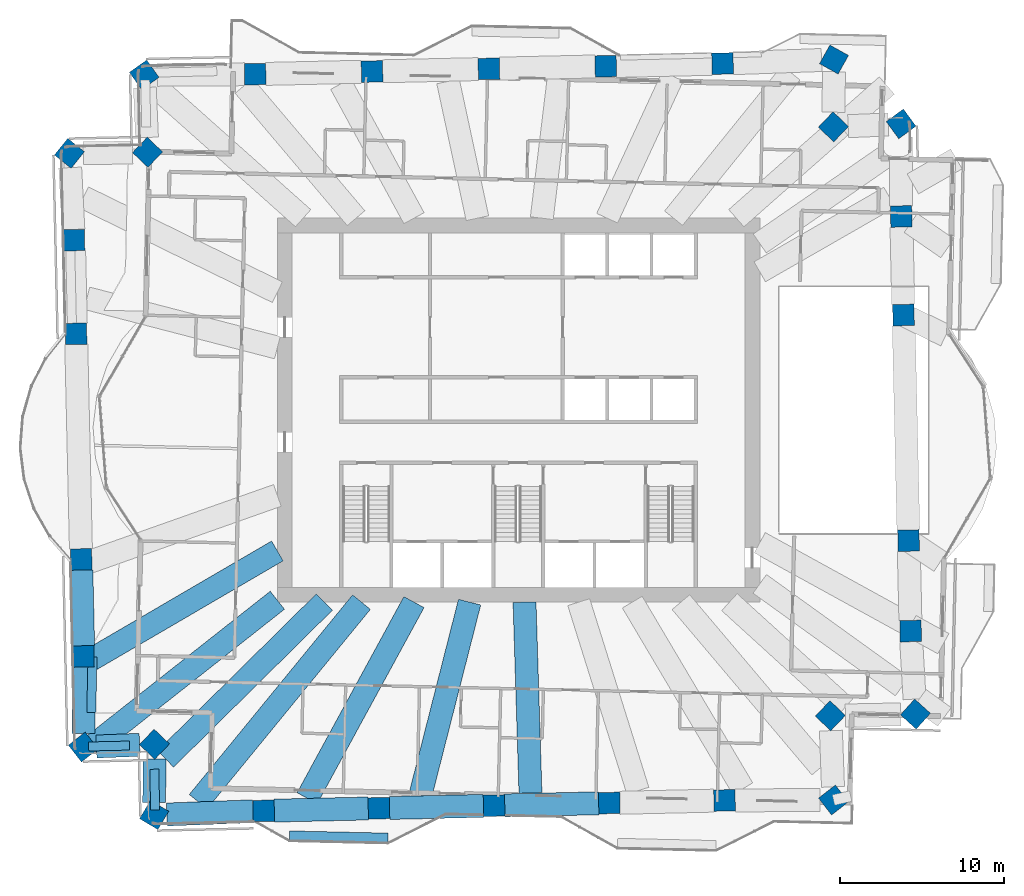
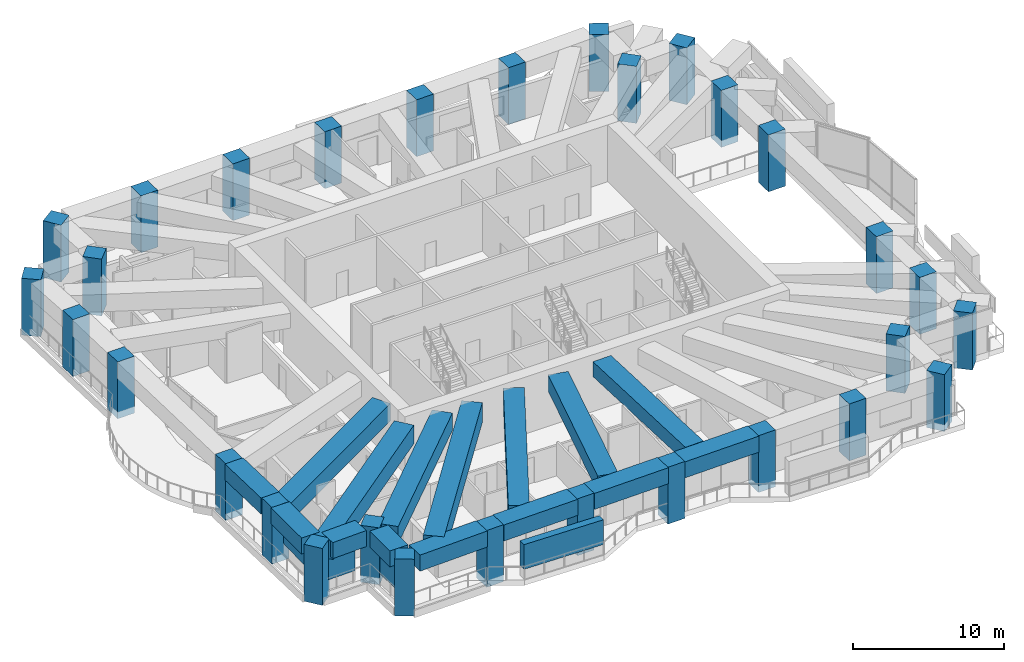
# One storey, part 1 of 17: 30 columns, 15 beams, 4 members.
"""IFC4 building model written with IfcOpenShell, lengths in metres."""

import ifcopenshell
import ifcopenshell.guid

model = None  # the IFC model being written
_history = None  # IfcOwnerHistory: only IFC2X3 demands one
_inside = {}  # id of a spatial element -> (the spatial element, [elements in it])
_under = {}  # id of a project, library or spatial element -> (it, [spatial elements below it])
_declared = {}  # id of a project -> (the project, [libraries it declares])
_typed = {}  # id of a type object -> (the type object, [elements of that type])
_made_of = {}  # id of a material, layer set ... -> (it, [elements and type objects made of it])


def new_model(schema):
    """Start an empty IFC model of exactly this schema.

    Asked for "IFC4X3", IfcOpenShell would pick the latest addendum, in which some entities
    have other attributes; the version numbers below select the first issue.
    IFC2X3 requires an IfcOwnerHistory on every rooted entity: one is made here for all.
    """
    global model, _history
    if schema == "IFC4X3":
        model = ifcopenshell.file(schema_version=(4, 3, 0, 0))
    else:
        model = ifcopenshell.file(schema=schema)
    _inside.clear()
    _under.clear()
    _declared.clear()
    _typed.clear()
    _made_of.clear()
    _history = None
    if model.schema == "IFC2X3":
        org = make("IfcOrganization", Name="unknown")
        user = make(
            "IfcPersonAndOrganization",
            ThePerson=make("IfcPerson", FamilyName="unknown"),
            TheOrganization=org,
        )
        app = make(
            "IfcApplication",
            ApplicationDeveloper=org,
            Version="unknown",
            ApplicationFullName="unknown",
            ApplicationIdentifier="unknown",
        )
        _history = make(
            "IfcOwnerHistory",
            OwningUser=user,
            OwningApplication=app,
            ChangeAction="ADDED",
            CreationDate=0,
        )
    return model


def make(cls, **values):
    """One entity of the class cls with the attributes given. An attribute that is None is left unset."""
    return model.create_entity(
        cls, **{name: value for name, value in values.items() if value is not None}
    )


def rooted(cls, **values):
    """An entity with a GlobalId (a new one), such as an element, a storey or a relation."""
    return make(cls, GlobalId=ifcopenshell.guid.new(), OwnerHistory=_history, **values)


def si_unit(unit_type, name, prefix=None):
    """IfcSIUnit, for example si_unit("LENGTHUNIT", "METRE", prefix="MILLI")."""
    return make("IfcSIUnit", UnitType=unit_type, Prefix=prefix, Name=name)


def assignment(units):
    """IfcUnitAssignment: the units of a project."""
    return None if units is None else make("IfcUnitAssignment", Units=units)


def point(xyz):
    """IfcCartesianPoint."""
    return None if xyz is None else make("IfcCartesianPoint", Coordinates=xyz)


def direction(xyz):
    """IfcDirection."""
    return None if xyz is None else make("IfcDirection", DirectionRatios=xyz)


def frame(location, z_axis=None, x_axis=None):
    """IfcAxis2Placement3D, a coordinate frame: its origin and axes. An axis left out is left unset."""
    return make(
        "IfcAxis2Placement3D",
        Location=point(location),
        Axis=direction(z_axis),
        RefDirection=direction(x_axis),
    )


def frame_2d(location, x_axis=None):
    """IfcAxis2Placement2D, a coordinate frame in the plane: its origin and x axis."""
    return make(
        "IfcAxis2Placement2D", Location=point(location), RefDirection=direction(x_axis)
    )


def origin():
    """The frame at (0, 0, 0) with its axes left unset."""
    return frame((0.0, 0.0, 0.0))


def origin_2d():
    """The frame at (0, 0) in the plane with its x axis left unset."""
    return frame_2d((0.0, 0.0))


def place(relative_to, where):
    """IfcLocalPlacement: puts the frame where relative to a parent placement (None: the world)."""
    return make(
        "IfcLocalPlacement", PlacementRelTo=relative_to, RelativePlacement=where
    )


def context(
    kind, dimensions, precision=None, world=None, true_north=None, identifier=None
):
    """IfcGeometricRepresentationContext, for example the 3D "Model" context."""
    return make(
        "IfcGeometricRepresentationContext",
        ContextIdentifier=identifier,
        ContextType=kind,
        CoordinateSpaceDimension=dimensions,
        Precision=precision,
        WorldCoordinateSystem=world,
        TrueNorth=true_north,
    )


def subcontext(parent, identifier, kind, view, scale=None):
    """IfcGeometricRepresentationSubContext, for example "Body" below "Model"."""
    return make(
        "IfcGeometricRepresentationSubContext",
        ContextIdentifier=identifier,
        ContextType=kind,
        ParentContext=parent,
        TargetScale=scale,
        TargetView=view,
    )


def project(units=None, contexts=None):
    """IfcProject with its units and contexts."""
    return rooted(
        "IfcProject",
        Name="project",
        RepresentationContexts=contexts,
        UnitsInContext=assignment(units),
    )


def spatial(cls, under=None, at=None, **own):
    """A site, building, storey or space (cls), placed at a placement, below another one or the project."""
    s = rooted(cls, ObjectPlacement=at, **own)
    if under is not None:
        _under.setdefault(under.id(), (under, []))[1].append(s)
    return s


def profile(cls, at=None, kind="AREA", **sizes):
    """A parametric profile (cls). Its sizes go by their IFC names, for example OverallWidth=200.0."""
    return make(cls, ProfileType=kind, Position=at, **sizes)


def rectangle(**sizes):
    """IfcRectangleProfileDef."""
    return profile("IfcRectangleProfileDef", **sizes)


def extrude(swept, where, along, depth):
    """IfcExtrudedAreaSolid: the profile swept, set in the frame where, extruded along a direction by depth."""
    return make(
        "IfcExtrudedAreaSolid",
        SweptArea=swept,
        Position=where,
        ExtrudedDirection=direction(along),
        Depth=depth,
    )


def shape(context_of_items, identifier, shape_type, items):
    """IfcShapeRepresentation: the items that make up one representation, for example the "Body"."""
    return make(
        "IfcShapeRepresentation",
        ContextOfItems=context_of_items,
        RepresentationIdentifier=identifier,
        RepresentationType=shape_type,
        Items=items,
    )


def material(Name=None, Category=None):
    """IfcMaterial."""
    return make("IfcMaterial", Name=Name, Category=Category)


def material_profile(
    of_material, cross_section, Name=None, Category=None, Priority=None
):
    """IfcMaterialProfile: a cross section and its material."""
    return make(
        "IfcMaterialProfile",
        Name=Name,
        Material=of_material,
        Profile=cross_section,
        Priority=Priority,
        Category=Category,
    )


def profile_set(profiles, Name=None, composite=None):
    """IfcMaterialProfileSet."""
    return make(
        "IfcMaterialProfileSet",
        Name=Name,
        MaterialProfiles=profiles,
        CompositeProfile=composite,
    )


def made_of(thing, what):
    """Note that an element or type object is made of a material, layer set ...; save() writes the relation."""
    if what is not None:
        _made_of.setdefault(what.id(), (what, []))[1].append(thing)
    return thing


def type_object(cls, material=None, **own):
    """A type object (cls), such as IfcWallType, which elements share."""
    return made_of(rooted(cls, **own), material)


def element(
    cls,
    number,
    at=None,
    inside=None,
    cuts=None,
    type_object=None,
    material=None,
    context=None,
    identifier="Body",
    shape_type=None,
    held_by="IfcProductDefinitionShape",
    body=None,
    shapes=None,
    **own,
):
    """One element of the class cls, such as IfcWall. Its Tag is "e" and its number.

    at: its placement. inside: the storey or other place that contains it. cuts: it is an
    opening in that element (IfcRelVoidsElement). A single representation is given by context,
    identifier, shape_type and body (its items); several are given by shapes. held_by: the class
    of the entity that holds the representations. save() writes the other relations.
    """
    e = rooted(cls, Tag="e%d" % number, ObjectPlacement=at, **own)
    if body is not None:
        shapes = [shape(context, identifier, shape_type, body)]
    if shapes is not None:
        e.Representation = make(held_by, Representations=shapes)
    if inside is not None:
        _inside.setdefault(inside.id(), (inside, []))[1].append(e)
    if cuts is not None:
        rooted(
            "IfcRelVoidsElement", RelatingBuildingElement=cuts, RelatedOpeningElement=e
        )
    if type_object is not None:
        _typed.setdefault(type_object.id(), (type_object, []))[1].append(e)
    return made_of(e, material)


def aggregate(whole, parts):
    """IfcRelAggregates: a whole, such as a stair, and the parts it consists of."""
    return rooted("IfcRelAggregates", RelatingObject=whole, RelatedObjects=parts)


def save(model, path):
    """Write the relations noted so far, then the file.

    IfcRelAggregates (storeys below a building ...), IfcRelContainedInSpatialStructure (elements
    in a storey), IfcRelDefinesByType, IfcRelAssociatesMaterial and IfcRelDeclares: one each for
    every whole, place, type object, material and project.
    """
    for whole, parts in _under.values():
        aggregate(whole, parts)
    for where, things in _inside.values():
        rooted(
            "IfcRelContainedInSpatialStructure",
            RelatedElements=things,
            RelatingStructure=where,
        )
    for kind, things in _typed.values():
        rooted("IfcRelDefinesByType", RelatedObjects=things, RelatingType=kind)
    for what, things in _made_of.values():
        rooted("IfcRelAssociatesMaterial", RelatedObjects=things, RelatingMaterial=what)
    for by, libraries in _declared.values():
        rooted("IfcRelDeclares", RelatingContext=by, RelatedDefinitions=libraries)
    model.write(path)


model = new_model("IFC4")

# Units and contexts
model_context = context("Model", 3, precision=1e-05, world=origin(), true_north=direction((0.0, 1.0)))
body_context = subcontext(model_context, "Body", "Model", "MODEL_VIEW")
ifc_project = project(units=[si_unit("LENGTHUNIT", "METRE"), si_unit("AREAUNIT", "SQUARE_METRE"), si_unit("VOLUMEUNIT", "CUBIC_METRE"), si_unit("PLANEANGLEUNIT", "RADIAN"), si_unit("MASSUNIT", "GRAM", prefix="KILO")], contexts=[model_context])

# Site, building, storey
site_placement = place(None, origin())
site = spatial("IfcSite", under=ifc_project, at=site_placement, CompositionType="ELEMENT")
building_placement = place(site_placement, origin())
building = spatial("IfcBuilding", under=site, at=building_placement, Name="Mangrove Gate Tower", CompositionType="ELEMENT")
storey_placement = place(building_placement, frame((0.0, 0.0, 148.10009765625)))
storey = spatial("IfcBuildingStorey", under=building, at=storey_placement, Name="L37", CompositionType="ELEMENT", Elevation=148.10009765625)

# Columns
ifc_material_1 = material(Name="Concrete C70/85", Category="concrete")
ifc_material_profile_1 = material_profile(ifc_material_1, rectangle(XDim=1.300048828125, YDim=1.300048828125, at=origin_2d()))
ifc_profile_set_1 = profile_set([ifc_material_profile_1], Name="Concrete C70/85")
column_type = type_object("IfcColumnType", Name="Column RC 1300x1300 C70/85", PredefinedType="COLUMN", material=ifc_profile_set_1)
for number, where, z_axis, x_axis, name in (
    (1, (-26.6591796875, -9.09619140625, -0.550048828125), (0.0, 0.0, 1.0), (0.02268213383, -0.999742727308, 0.0), "Column L37 W05"),
    (2, (-26.525146484375, -15.00634765625, -0.550048828125), (0.0, 0.0, 1.0), (0.022665697055, -0.99974310009, 0.0), "Column L37 W06"),
    (3, (-26.528564453125, -20.5322265625, -0.550048828125), (0.0, 0.0, 1.0), (0.61506722308, -0.788474673717, 0.0), "Column L37 W07"),
    (4, (-22.19287109375, -20.362060546875, -0.550048828125), (0.0, 0.0, 1.0), (0.722994264183, -0.690854032309, 0.0), "Column L37 W08"),
    (5, (-22.20947265625, -24.67236328125, -0.550048828125), (0.0, 0.0, 1.0), (0.859255009234, -0.511547484704, 0.0), "Column L37 S01"),
    (6, (-15.53466796875, -24.422119140625, -0.550048828125), (0.0, 0.0, 1.0), (0.999742129581, 0.022708464065, 0.0), "Column L37 S02"),
    (7, (-8.5126953125, -24.26220703125, -0.550048828125), (0.0, 0.0, 1.0), (0.999742129581, 0.022708464065, 0.0), "Column L37 S03"),
    (8, (-1.49072265625, -24.103271484375, -0.550048828125), (0.0, 0.0, 1.0), (0.999743742918, 0.022637325283, 0.0), "Column L37 S04"),
    (9, (5.53125, -23.944091796875, -0.550048828125), (0.0, 0.0, 1.0), (0.999742166043, 0.022706858776, 0.0), "Column L37 S05"),
    (10, (12.55419921875, -23.7841796875, -0.550048828125), (0.0, 0.0, 1.0), (0.999742166043, 0.022706858776, 0.0), "Column L37 S06"),
    (11, (19.1923828125, -23.761474609375, -0.550048828125), (0.0, 0.0, 1.0), (0.790004884924, 0.613100547868, 0.0), "Column L37 S07"),
    (12, (19.0029296875, -18.626953125, -0.550048828125), (0.0, 0.0, 1.0), (0.690808805786, 0.723037477485, 0.0), "Column L37 E01"),
    (13, (24.188232421875, -18.522705078125, -0.550048828125), (0.0, 0.0, 1.0), (0.6695332885, 0.742782051204, 0.0), "Column L37 E02"),
    (14, (23.896240234375, -13.462646484375, -0.550048828125), (0.0, 0.0, 1.0), (-0.022678138054, 0.999742817956, 0.0), "Column L37 E03"),
    (15, (23.771240234375, -7.95166015625, -0.550048828125), (0.0, 0.0, 1.0), (-0.022684855843, 0.999742665547, 0.0), "Column L37 E04"),
    (16, (23.459228515625, 5.79638671875, -0.550048828125), (0.0, 0.0, 1.0), (-0.022668541211, 0.999743035604, 0.0), "Column L37 E05"),
    (17, (23.3232421875, 11.806396484375, -0.550048828125), (0.0, 0.0, 1.0), (-0.022621272366, 0.999744106277, 0.0), "Column L37 E06"),
    (18, (23.312744140625, 17.44775390625, -0.550048828125), (0.0, 0.0, 1.0), (-0.591062165958, 0.806626007498, 0.0), "Column L37 E07"),
    (19, (19.18896484375, 17.26708984375, -0.550048828125), (0.0, 0.0, 1.0), (-0.723000027728, 0.69084800058, 0.0), "Column L37 E08"),
    (20, (19.224609375, 21.36865234375, -0.550048828125), (0.0, 0.0, 1.0), (-0.872767754736, 0.488135684307, 0.0), "Column L37 N01"),
    (21, (12.434814453125, 21.124267578125, -0.550048828125), (0.0, 0.0, 1.0), (-0.999741400599, -0.022740534932, 0.0), "Column L37 N02"),
    (22, (5.312744140625, 20.962158203125, -0.550048828125), (0.0, 0.0, 1.0), (-0.999742993665, -0.022670390785, 0.0), "Column L37 N03"),
    (23, (-1.809326171875, 20.80126953125, -0.550048828125), (0.0, 0.0, 1.0), (-0.999742993665, -0.022670390785, 0.0), "Column L37 N04"),
    (24, (-8.93115234375, 20.63916015625, -0.550048828125), (0.0, 0.0, 1.0), (-0.999742993665, -0.022670390785, 0.0), "Column L37 N05"),
    (25, (-16.05322265625, 20.478271484375, -0.550048828125), (0.0, 0.0, 1.0), (-0.99974302967, -0.022668802943, 0.0), "Column L37 N06"),
    (26, (-22.815673828125, 20.435302734375, -0.550048828125), (0.0, 0.0, 1.0), (-0.816422336204, -0.577455252766, 0.0), "Column L37 N07"),
    (27, (-22.612060546875, 15.718017578125, -0.550048828125), (0.0, 0.0, 1.0), (-0.690868038859, -0.722980880026, 0.0), "Column L37 W01"),
    (28, (-27.3740234375, 15.6513671875, -0.550048828125), (0.0, 0.0, 1.0), (-0.625756852506, -0.780018180264, 0.0), "Column L37 W02"),
    (29, (-27.10107421875, 10.36181640625, -0.550048828125), (0.0, 0.0, 1.0), (0.022759187673, -0.999740976142, 0.0), "Column L37 W03"),
    (30, (-26.97119140625, 4.65185546875, -0.550048828125), (0.0, 0.0, 1.0), (0.022709737827, -0.999742100648, 0.0), "Column L37 W04"),
):
    element("IfcColumn", number, at=place(storey_placement, frame(where, z_axis=z_axis, x_axis=x_axis)), inside=storey, type_object=column_type, Name=name, PredefinedType="COLUMN", context=body_context, shape_type="SweptSolid", body=[
        extrude(rectangle(XDim=1.300048828125, YDim=1.300048828125, at=origin_2d()), origin(), (0.0, 0.0, 1.0), 4.599853515625),
    ])

# Members
ifc_material_2 = material(Name="Planting on aluminium trellis", Category="aluminium")
ifc_material_profile_2 = material_profile(ifc_material_2, rectangle(XDim=0.550048828125, YDim=2.0, at=origin_2d()))
ifc_profile_set_2 = profile_set([ifc_material_profile_2], Name="Planting on aluminium trellis")
member_type_1 = type_object("IfcMemberType", Name="Balcony greenery screen 550x2000", PredefinedType="USERDEFINED", material=ifc_profile_set_2)
member_1_placement = place(storey_placement, frame((-26.04296875, -18.427001953125, 1.7998046875), z_axis=(0.022620270121, 0.999744128955, 0.0), x_axis=(-0.999744128955, 0.022620270121, 0.0)))
element("IfcMember", 31, at=member_1_placement, inside=storey, type_object=member_type_1, Name="GREEN SCREEN L37 W1.1", ObjectType="PLANTING", PredefinedType="USERDEFINED", context=body_context, shape_type="SweptSolid", body=[
    extrude(rectangle(XDim=0.550048828125, YDim=2.0, at=origin_2d()), origin(), (0.0, 0.0, 1.0), 3.39990234375),
])
member_2_placement = place(storey_placement, frame((-13.955078125, -25.91796875, 1.7998046875), z_axis=(0.999743178102, -0.022662255828, 0.0), x_axis=(0.022662255828, 0.999743178102, 0.0)))
element("IfcMember", 32, at=member_2_placement, inside=storey, type_object=member_type_1, Name="GREEN SCREEN L37 S0.1", ObjectType="PLANTING", PredefinedType="USERDEFINED", context=body_context, shape_type="SweptSolid", body=[
    extrude(rectangle(XDim=0.550048828125, YDim=2.0, at=origin_2d()), origin(), (0.0, 0.0, 1.0), 6.00048828125),
])
ifc_material_3 = material(Name="Planting on aluminium trellis", Category="aluminium")
ifc_material_profile_3 = material_profile(ifc_material_3, rectangle(XDim=0.550048828125, YDim=1.800048828125, at=origin_2d()))
ifc_profile_set_3 = profile_set([ifc_material_profile_3], Name="Planting on aluminium trellis")
member_type_2 = type_object("IfcMemberType", Name="Roof greenery screen 550x1800", PredefinedType="USERDEFINED", material=ifc_profile_set_3)
member_3_placement = place(storey_placement, frame((-22.14697265625, -24.3720703125, 1.699951171875), z_axis=(-0.022473953195, 0.999747428818, 0.0), x_axis=(-0.999747428818, -0.022473953195, 0.0)))
element("IfcMember", 33, at=member_3_placement, inside=storey, type_object=member_type_2, Name="GREEN SCREEN L37 T3.6.6", ObjectType="PLANTING", PredefinedType="USERDEFINED", context=body_context, shape_type="SweptSolid", body=[
    extrude(rectangle(XDim=0.550048828125, YDim=1.800048828125, at=origin_2d()), origin(), (0.0, 0.0, 1.0), 2.48779296875),
])
member_4_placement = place(storey_placement, frame((-23.714111328125, -20.44189453125, 1.699951171875), z_axis=(-0.999745168975, -0.022574257693, 0.0), x_axis=(0.022574257693, -0.999745168975, 0.0)))
element("IfcMember", 34, at=member_4_placement, inside=storey, type_object=member_type_2, Name="GREEN SCREEN L37 T3.6.9", ObjectType="PLANTING", PredefinedType="USERDEFINED", context=body_context, shape_type="SweptSolid", body=[
    extrude(rectangle(XDim=0.550048828125, YDim=1.800048828125, at=origin_2d()), origin(), (0.0, 0.0, 1.0), 2.487548828125),
])

# Beams
ifc_material_4 = material(Name="Concrete C60/75", Category="concrete")
ifc_material_profile_4 = material_profile(ifc_material_4, rectangle(XDim=1.39990234375, YDim=1.199951171875, at=origin_2d()))
ifc_profile_set_4 = profile_set([ifc_material_profile_4], Name="Concrete C60/75")
beam_type_1 = type_object("IfcBeamType", Name="Transfer girder RC 1400x1200 C60/75", PredefinedType="BEAM", material=ifc_profile_set_4)
beam_1_placement = place(storey_placement, frame((0.363525390625, -11.699951171875, 3.449951171875), z_axis=(0.031067098788, -0.999517301187, 0.0), x_axis=(0.999517301187, 0.031067098788, 0.0)))
element("IfcBeam", 35, at=beam_1_placement, inside=storey, type_object=beam_type_1, Name="Transfer girder L37 07", PredefinedType="BEAM", context=body_context, shape_type="SweptSolid", body=[
    extrude(rectangle(XDim=1.39990234375, YDim=1.199951171875, at=origin_2d()), origin(), (0.0, 0.0, 1.0), 11.638427734375),
])
ifc_material_5 = material(Name="Concrete C60/75", Category="concrete")
ifc_material_profile_5 = material_profile(ifc_material_5, rectangle(XDim=1.39990234375, YDim=1.300048828125, at=origin_2d()))
ifc_profile_set_5 = profile_set([ifc_material_profile_5], Name="Concrete C60/75")
beam_type_2 = type_object("IfcBeamType", Name="Transfer girder RC 1400x1300 C60/75", PredefinedType="BEAM", material=ifc_profile_set_5)
beam_2_placement = place(storey_placement, frame((-26.64453125, -9.74609375, 3.39990234375), z_axis=(0.022711784645, -0.999742054151, 0.0), x_axis=(0.999742054151, 0.022711784645, 0.0)))
element("IfcBeam", 36, at=beam_2_placement, inside=storey, type_object=beam_type_2, Name="Transfer ring girder L37 00", PredefinedType="BEAM", context=body_context, shape_type="SweptSolid", body=[
    extrude(rectangle(XDim=1.39990234375, YDim=1.300048828125, at=origin_2d()), origin(), (0.0, 0.0, 1.0), 4.611572265625),
])
beam_3_placement = place(storey_placement, frame((-26.525634765625, -15.656494140625, 3.39990234375), z_axis=(-0.000602663664, -0.999999818398, 0.0), x_axis=(0.999999818398, -0.000602663664, 0.0)))
element("IfcBeam", 37, at=beam_3_placement, inside=storey, type_object=beam_type_2, Name="Transfer ring girder L37 01", PredefinedType="BEAM", context=body_context, shape_type="SweptSolid", body=[
    extrude(rectangle(XDim=1.39990234375, YDim=1.300048828125, at=origin_2d()), origin(), (0.0, 0.0, 1.0), 4.051025390625),
])
beam_4_placement = place(storey_placement, frame((-25.728515625, -20.500732421875, 3.39990234375), z_axis=(0.999231025302, 0.039209158043, 0.0), x_axis=(-0.039209158043, 0.999231025302, 0.0)))
element("IfcBeam", 38, at=beam_4_placement, inside=storey, type_object=beam_type_2, Name="Transfer ring girder L37 02", PredefinedType="BEAM", context=body_context, shape_type="SweptSolid", body=[
    extrude(rectangle(XDim=1.39990234375, YDim=1.300048828125, at=origin_2d()), origin(), (0.0, 0.0, 1.0), 2.6337890625),
])
beam_5_placement = place(storey_placement, frame((-22.1962890625, -21.2578125, 3.39990234375), z_axis=(-0.003854950704, -0.99999256965, 0.0), x_axis=(0.99999256965, -0.003854950704, 0.0)))
element("IfcBeam", 39, at=beam_5_placement, inside=storey, type_object=beam_type_2, Name="Transfer ring girder L37 03", PredefinedType="BEAM", context=body_context, shape_type="SweptSolid", body=[
    extrude(rectangle(XDim=1.39990234375, YDim=1.300048828125, at=origin_2d()), origin(), (0.0, 0.0, 1.0), 2.659912109375),
])
beam_6_placement = place(storey_placement, frame((-21.435791015625, -24.6435546875, 3.39990234375), z_axis=(0.999296963169, 0.037491057614, 0.0), x_axis=(-0.037491057614, 0.999296963169, 0.0)))
element("IfcBeam", 40, at=beam_6_placement, inside=storey, type_object=beam_type_2, Name="Transfer ring girder L37 04", PredefinedType="BEAM", context=body_context, shape_type="SweptSolid", body=[
    extrude(rectangle(XDim=1.39990234375, YDim=1.300048828125, at=origin_2d()), origin(), (0.0, 0.0, 1.0), 5.255126953125),
])
for number, where, z_axis, x_axis, name in (
    (41, (-14.885009765625, -24.407470703125, 3.39990234375), (0.999739606731, 0.022819262324, 0.0), (-0.022819262324, 0.999739606731, 0.0), "Transfer ring girder L37 05"),
    (42, (-7.863037109375, -24.24755859375, 3.39990234375), (0.999743484414, 0.022648738864, 0.0), (-0.022648738864, 0.999743484414, 0.0), "Transfer ring girder L37 06"),
):
    element("IfcBeam", number, at=place(storey_placement, frame(where, z_axis=z_axis, x_axis=x_axis)), inside=storey, type_object=beam_type_2, Name=name, PredefinedType="BEAM", context=body_context, shape_type="SweptSolid", body=[
        extrude(rectangle(XDim=1.39990234375, YDim=1.300048828125, at=origin_2d()), origin(), (0.0, 0.0, 1.0), 5.723876953125),
    ])
beam_7_placement = place(storey_placement, frame((-0.8408203125, -24.08837890625, 3.39990234375), z_axis=(0.999744427496, 0.022607071703, 0.0), x_axis=(-0.022607071703, 0.999744427496, 0.0)))
element("IfcBeam", 43, at=beam_7_placement, inside=storey, type_object=beam_type_2, Name="Transfer ring girder L37 07", PredefinedType="BEAM", context=body_context, shape_type="SweptSolid", body=[
    extrude(rectangle(XDim=1.39990234375, YDim=1.300048828125, at=origin_2d()), origin(), (0.0, 0.0, 1.0), 5.7236328125),
])
beam_8_placement = place(storey_placement, frame((-2.9833984375, -11.699951171875, 3.39990234375), z_axis=(-0.247097522229, -0.968990616316, 0.0), x_axis=(0.968990616316, -0.247097522229, 0.0)))
element("IfcBeam", 44, at=beam_8_placement, inside=storey, type_object=beam_type_2, Name="Transfer girder L37 06", PredefinedType="BEAM", context=body_context, shape_type="SweptSolid", body=[
    extrude(rectangle(XDim=1.39990234375, YDim=1.300048828125, at=origin_2d()), origin(), (0.0, 0.0, 1.0), 12.169677734375),
])
ifc_material_6 = material(Name="Concrete C60/75", Category="concrete")
ifc_material_profile_6 = material_profile(ifc_material_6, rectangle(XDim=1.39990234375, YDim=1.39990234375, at=origin_2d()))
ifc_profile_set_6 = profile_set([ifc_material_profile_6], Name="Concrete C60/75")
beam_type_3 = type_object("IfcBeamType", Name="Transfer girder RC 1400x1400 C60/75", PredefinedType="BEAM", material=ifc_profile_set_6)
beam_9_placement = place(storey_placement, frame((-14.699951171875, -8.580078125, 3.349853515625), z_axis=(-0.863654061168, -0.504084975603, 0.0), x_axis=(0.504084975603, -0.863654061168, 0.0)))
element("IfcBeam", 45, at=beam_9_placement, inside=storey, type_object=beam_type_3, Name="Transfer girder L37 01", PredefinedType="BEAM", context=body_context, shape_type="SweptSolid", body=[
    extrude(rectangle(XDim=1.39990234375, YDim=1.39990234375, at=origin_2d()), origin(), (0.0, 0.0, 1.0), 13.6923828125),
])
beam_10_placement = place(storey_placement, frame((-11.841064453125, -11.699951171875, 3.349853515625), z_axis=(-0.71133023068, -0.702857953588, 0.0), x_axis=(0.702857953588, -0.71133023068, 0.0)))
element("IfcBeam", 46, at=beam_10_placement, inside=storey, type_object=beam_type_3, Name="Transfer girder L37 03", PredefinedType="BEAM", context=body_context, shape_type="SweptSolid", body=[
    extrude(rectangle(XDim=1.39990234375, YDim=1.39990234375, at=origin_2d()), origin(), (0.0, 0.0, 1.0), 13.601318359375),
])
beam_11_placement = place(storey_placement, frame((-6.37451171875, -11.699951171875, 3.349853515625), z_axis=(-0.478423472633, -0.878129250642, 0.0), x_axis=(0.878129250642, -0.478423472633, 0.0)))
element("IfcBeam", 47, at=beam_11_placement, inside=storey, type_object=beam_type_3, Name="Transfer girder L37 05", PredefinedType="BEAM", context=body_context, shape_type="SweptSolid", body=[
    extrude(rectangle(XDim=1.39990234375, YDim=1.39990234375, at=origin_2d()), origin(), (0.0, 0.0, 1.0), 13.609375),
])
ifc_material_7 = material(Name="Concrete C60/75", Category="concrete")
ifc_material_profile_7 = material_profile(ifc_material_7, rectangle(XDim=1.39990234375, YDim=1.5, at=origin_2d()))
ifc_profile_set_7 = profile_set([ifc_material_profile_7], Name="Concrete C60/75")
beam_type_4 = type_object("IfcBeamType", Name="Transfer girder RC 1400x1500 C60/75", PredefinedType="BEAM", material=ifc_profile_set_7)
beam_12_placement = place(storey_placement, frame((-14.699951171875, -11.585693359375, 3.2998046875), z_axis=(-0.785393406198, -0.618996928507, 0.0), x_axis=(0.618996928507, -0.785393406198, 0.0)))
element("IfcBeam", 48, at=beam_12_placement, inside=storey, type_object=beam_type_4, Name="Transfer girder L37 02", PredefinedType="BEAM", context=body_context, shape_type="SweptSolid", body=[
    extrude(rectangle(XDim=1.39990234375, YDim=1.5, at=origin_2d()), origin(), (0.0, 0.0, 1.0), 14.42138671875),
])
ifc_material_8 = material(Name="Concrete C60/75", Category="concrete")
ifc_material_profile_8 = material_profile(ifc_material_8, rectangle(XDim=1.39990234375, YDim=1.60009765625, at=origin_2d()))
ifc_profile_set_8 = profile_set([ifc_material_profile_8], Name="Concrete C60/75")
beam_type_5 = type_object("IfcBeamType", Name="Transfer girder RC 1400x1600 C60/75", PredefinedType="BEAM", material=ifc_profile_set_8)
beam_13_placement = place(storey_placement, frame((-9.5732421875, -11.699951171875, 3.25), z_axis=(-0.633264851965, -0.773935157016, 0.0), x_axis=(0.773935157016, -0.633264851965, 0.0)))
element("IfcBeam", 49, at=beam_13_placement, inside=storey, type_object=beam_type_5, Name="Transfer girder L37 04", PredefinedType="BEAM", context=body_context, shape_type="SweptSolid", body=[
    extrude(rectangle(XDim=1.39990234375, YDim=1.60009765625, at=origin_2d()), origin(), (0.0, 0.0, 1.0), 15.720703125),
])

save(model, "model.ifc")
